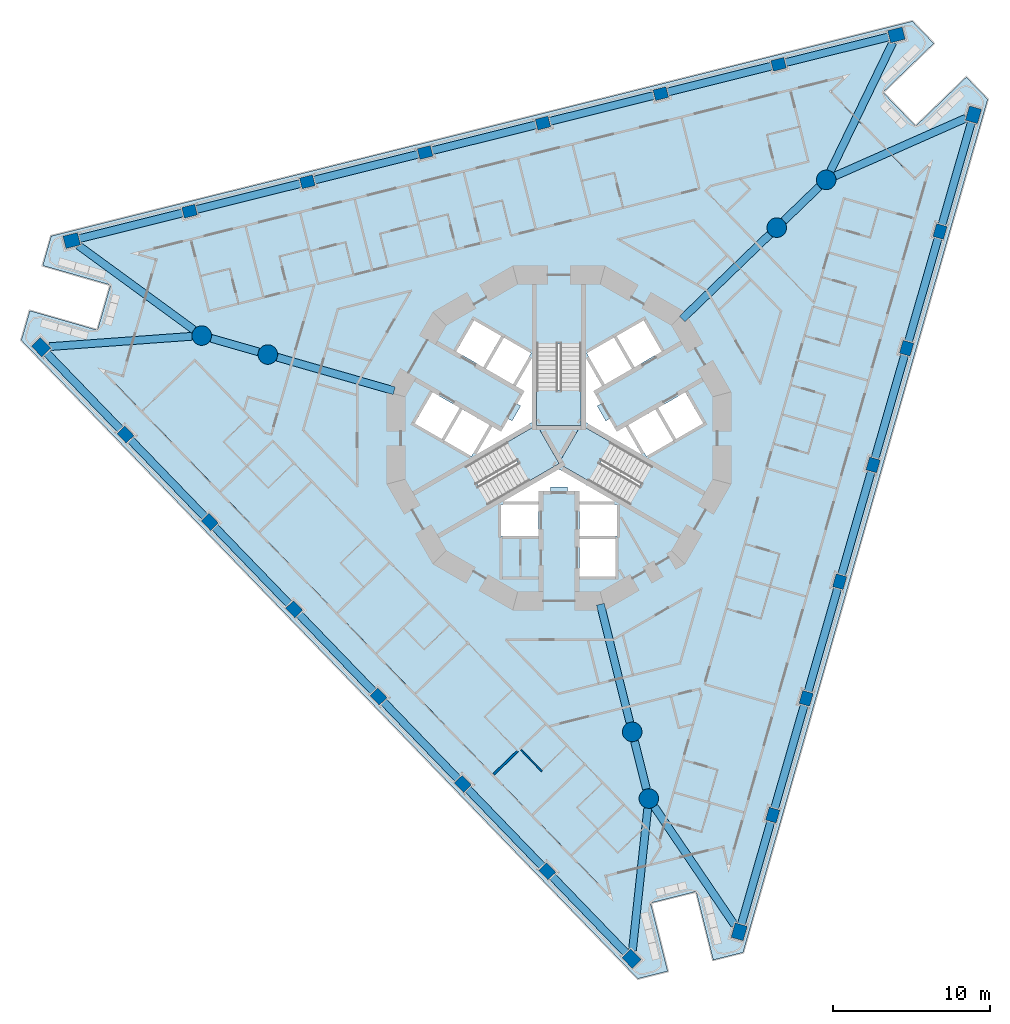
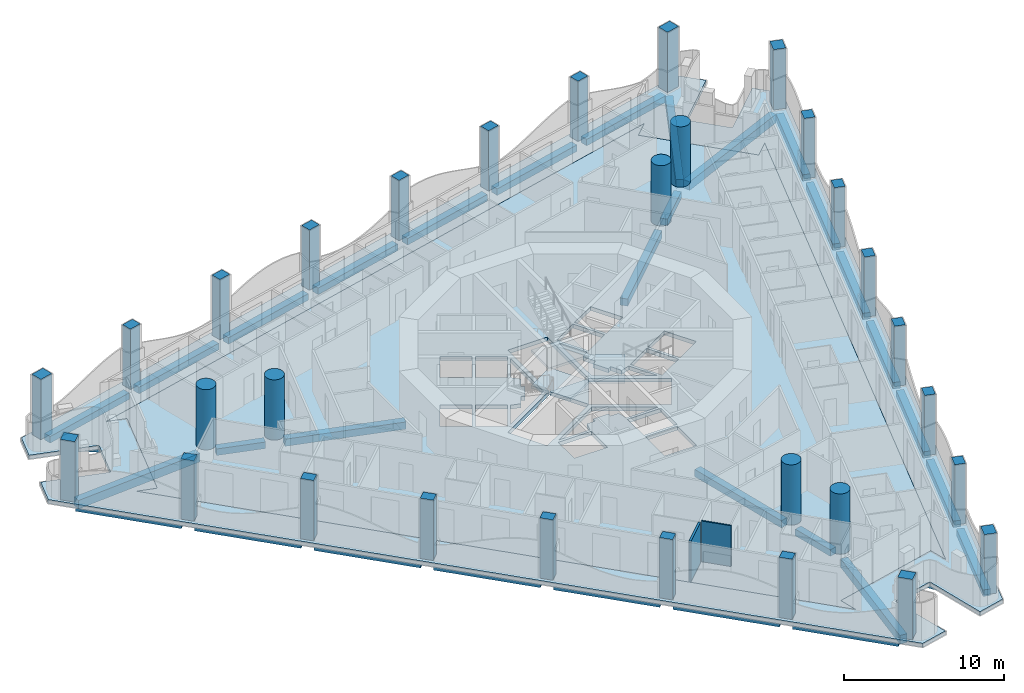
# One storey, part 1 of 20: 33 beams, 30 columns, 6 slabs, 2 walls, 3 elements without a shape of their own.
"""IFC4 building model written with IfcOpenShell, lengths in metres."""

import ifcopenshell
import ifcopenshell.guid

model = None  # the IFC model being written
_history = None  # IfcOwnerHistory: only IFC2X3 demands one
_inside = {}  # id of a spatial element -> (the spatial element, [elements in it])
_under = {}  # id of a project, library or spatial element -> (it, [spatial elements below it])
_declared = {}  # id of a project -> (the project, [libraries it declares])
_typed = {}  # id of a type object -> (the type object, [elements of that type])
_made_of = {}  # id of a material, layer set ... -> (it, [elements and type objects made of it])


def new_model(schema):
    """Start an empty IFC model of exactly this schema.

    Asked for "IFC4X3", IfcOpenShell would pick the latest addendum, in which some entities
    have other attributes; the version numbers below select the first issue.
    IFC2X3 requires an IfcOwnerHistory on every rooted entity: one is made here for all.
    """
    global model, _history
    if schema == "IFC4X3":
        model = ifcopenshell.file(schema_version=(4, 3, 0, 0))
    else:
        model = ifcopenshell.file(schema=schema)
    _inside.clear()
    _under.clear()
    _declared.clear()
    _typed.clear()
    _made_of.clear()
    _history = None
    if model.schema == "IFC2X3":
        org = make("IfcOrganization", Name="unknown")
        user = make(
            "IfcPersonAndOrganization",
            ThePerson=make("IfcPerson", FamilyName="unknown"),
            TheOrganization=org,
        )
        app = make(
            "IfcApplication",
            ApplicationDeveloper=org,
            Version="unknown",
            ApplicationFullName="unknown",
            ApplicationIdentifier="unknown",
        )
        _history = make(
            "IfcOwnerHistory",
            OwningUser=user,
            OwningApplication=app,
            ChangeAction="ADDED",
            CreationDate=0,
        )
    return model


def make(cls, **values):
    """One entity of the class cls with the attributes given. An attribute that is None is left unset."""
    return model.create_entity(
        cls, **{name: value for name, value in values.items() if value is not None}
    )


def rooted(cls, **values):
    """An entity with a GlobalId (a new one), such as an element, a storey or a relation."""
    return make(cls, GlobalId=ifcopenshell.guid.new(), OwnerHistory=_history, **values)


def si_unit(unit_type, name, prefix=None):
    """IfcSIUnit, for example si_unit("LENGTHUNIT", "METRE", prefix="MILLI")."""
    return make("IfcSIUnit", UnitType=unit_type, Prefix=prefix, Name=name)


def assignment(units):
    """IfcUnitAssignment: the units of a project."""
    return None if units is None else make("IfcUnitAssignment", Units=units)


def point(xyz):
    """IfcCartesianPoint."""
    return None if xyz is None else make("IfcCartesianPoint", Coordinates=xyz)


def direction(xyz):
    """IfcDirection."""
    return None if xyz is None else make("IfcDirection", DirectionRatios=xyz)


def frame(location, z_axis=None, x_axis=None):
    """IfcAxis2Placement3D, a coordinate frame: its origin and axes. An axis left out is left unset."""
    return make(
        "IfcAxis2Placement3D",
        Location=point(location),
        Axis=direction(z_axis),
        RefDirection=direction(x_axis),
    )


def frame_2d(location, x_axis=None):
    """IfcAxis2Placement2D, a coordinate frame in the plane: its origin and x axis."""
    return make(
        "IfcAxis2Placement2D", Location=point(location), RefDirection=direction(x_axis)
    )


def origin():
    """The frame at (0, 0, 0) with its axes left unset."""
    return frame((0.0, 0.0, 0.0))


def origin_2d():
    """The frame at (0, 0) in the plane with its x axis left unset."""
    return frame_2d((0.0, 0.0))


def place(relative_to, where):
    """IfcLocalPlacement: puts the frame where relative to a parent placement (None: the world)."""
    return make(
        "IfcLocalPlacement", PlacementRelTo=relative_to, RelativePlacement=where
    )


def context(
    kind, dimensions, precision=None, world=None, true_north=None, identifier=None
):
    """IfcGeometricRepresentationContext, for example the 3D "Model" context."""
    return make(
        "IfcGeometricRepresentationContext",
        ContextIdentifier=identifier,
        ContextType=kind,
        CoordinateSpaceDimension=dimensions,
        Precision=precision,
        WorldCoordinateSystem=world,
        TrueNorth=true_north,
    )


def subcontext(parent, identifier, kind, view, scale=None):
    """IfcGeometricRepresentationSubContext, for example "Body" below "Model"."""
    return make(
        "IfcGeometricRepresentationSubContext",
        ContextIdentifier=identifier,
        ContextType=kind,
        ParentContext=parent,
        TargetScale=scale,
        TargetView=view,
    )


def project(units=None, contexts=None):
    """IfcProject with its units and contexts."""
    return rooted(
        "IfcProject",
        Name="project",
        RepresentationContexts=contexts,
        UnitsInContext=assignment(units),
    )


def spatial(cls, under=None, at=None, **own):
    """A site, building, storey or space (cls), placed at a placement, below another one or the project."""
    s = rooted(cls, ObjectPlacement=at, **own)
    if under is not None:
        _under.setdefault(under.id(), (under, []))[1].append(s)
    return s


def polyline(points):
    """IfcPolyline through the points."""
    return make("IfcPolyline", Points=[point(p) for p in points])


def profile(cls, at=None, kind="AREA", **sizes):
    """A parametric profile (cls). Its sizes go by their IFC names, for example OverallWidth=200.0."""
    return make(cls, ProfileType=kind, Position=at, **sizes)


def rectangle(**sizes):
    """IfcRectangleProfileDef."""
    return profile("IfcRectangleProfileDef", **sizes)


def circle(**sizes):
    """IfcCircleProfileDef."""
    return profile("IfcCircleProfileDef", **sizes)


def outline(outer, holes=None, kind="AREA"):
    """IfcArbitraryClosedProfileDef: a profile drawn as a closed curve; with holes, ...WithVoids."""
    if holes is None:
        return make("IfcArbitraryClosedProfileDef", ProfileType=kind, OuterCurve=outer)
    return make(
        "IfcArbitraryProfileDefWithVoids",
        ProfileType=kind,
        OuterCurve=outer,
        InnerCurves=holes,
    )


def extrude(swept, where, along, depth):
    """IfcExtrudedAreaSolid: the profile swept, set in the frame where, extruded along a direction by depth."""
    return make(
        "IfcExtrudedAreaSolid",
        SweptArea=swept,
        Position=where,
        ExtrudedDirection=direction(along),
        Depth=depth,
    )


def shape(context_of_items, identifier, shape_type, items):
    """IfcShapeRepresentation: the items that make up one representation, for example the "Body"."""
    return make(
        "IfcShapeRepresentation",
        ContextOfItems=context_of_items,
        RepresentationIdentifier=identifier,
        RepresentationType=shape_type,
        Items=items,
    )


def material(Name=None, Category=None):
    """IfcMaterial."""
    return make("IfcMaterial", Name=Name, Category=Category)


def layer(
    of_material, thickness, ventilated=None, Name=None, Category=None, Priority=None
):
    """IfcMaterialLayer: one layer of a wall or slab, of a material (None: an air gap)."""
    return make(
        "IfcMaterialLayer",
        Material=of_material,
        LayerThickness=thickness,
        IsVentilated=ventilated,
        Name=Name,
        Category=Category,
        Priority=Priority,
    )


def layer_set(layers, Name=None):
    """IfcMaterialLayerSet."""
    return make("IfcMaterialLayerSet", MaterialLayers=layers, LayerSetName=Name)


def material_profile(
    of_material, cross_section, Name=None, Category=None, Priority=None
):
    """IfcMaterialProfile: a cross section and its material."""
    return make(
        "IfcMaterialProfile",
        Name=Name,
        Material=of_material,
        Profile=cross_section,
        Priority=Priority,
        Category=Category,
    )


def profile_set(profiles, Name=None, composite=None):
    """IfcMaterialProfileSet."""
    return make(
        "IfcMaterialProfileSet",
        Name=Name,
        MaterialProfiles=profiles,
        CompositeProfile=composite,
    )


def made_of(thing, what):
    """Note that an element or type object is made of a material, layer set ...; save() writes the relation."""
    if what is not None:
        _made_of.setdefault(what.id(), (what, []))[1].append(thing)
    return thing


def type_object(cls, material=None, **own):
    """A type object (cls), such as IfcWallType, which elements share."""
    return made_of(rooted(cls, **own), material)


def element(
    cls,
    number,
    at=None,
    inside=None,
    cuts=None,
    type_object=None,
    material=None,
    context=None,
    identifier="Body",
    shape_type=None,
    held_by="IfcProductDefinitionShape",
    body=None,
    shapes=None,
    **own,
):
    """One element of the class cls, such as IfcWall. Its Tag is "e" and its number.

    at: its placement. inside: the storey or other place that contains it. cuts: it is an
    opening in that element (IfcRelVoidsElement). A single representation is given by context,
    identifier, shape_type and body (its items); several are given by shapes. held_by: the class
    of the entity that holds the representations. save() writes the other relations.
    """
    e = rooted(cls, Tag="e%d" % number, ObjectPlacement=at, **own)
    if body is not None:
        shapes = [shape(context, identifier, shape_type, body)]
    if shapes is not None:
        e.Representation = make(held_by, Representations=shapes)
    if inside is not None:
        _inside.setdefault(inside.id(), (inside, []))[1].append(e)
    if cuts is not None:
        rooted(
            "IfcRelVoidsElement", RelatingBuildingElement=cuts, RelatedOpeningElement=e
        )
    if type_object is not None:
        _typed.setdefault(type_object.id(), (type_object, []))[1].append(e)
    return made_of(e, material)


def aggregate(whole, parts):
    """IfcRelAggregates: a whole, such as a stair, and the parts it consists of."""
    return rooted("IfcRelAggregates", RelatingObject=whole, RelatedObjects=parts)


def save(model, path):
    """Write the relations noted so far, then the file.

    IfcRelAggregates (storeys below a building ...), IfcRelContainedInSpatialStructure (elements
    in a storey), IfcRelDefinesByType, IfcRelAssociatesMaterial and IfcRelDeclares: one each for
    every whole, place, type object, material and project.
    """
    for whole, parts in _under.values():
        aggregate(whole, parts)
    for where, things in _inside.values():
        rooted(
            "IfcRelContainedInSpatialStructure",
            RelatedElements=things,
            RelatingStructure=where,
        )
    for kind, things in _typed.values():
        rooted("IfcRelDefinesByType", RelatedObjects=things, RelatingType=kind)
    for what, things in _made_of.values():
        rooted("IfcRelAssociatesMaterial", RelatedObjects=things, RelatingMaterial=what)
    for by, libraries in _declared.values():
        rooted("IfcRelDeclares", RelatingContext=by, RelatedDefinitions=libraries)
    model.write(path)


model = new_model("IFC4")

# Units and contexts
model_context = context("Model", 3, precision=1e-05, world=origin(), true_north=direction((0.0, 1.0)))
body_context = subcontext(model_context, "Body", "Model", "MODEL_VIEW")
ifc_project = project(units=[si_unit("LENGTHUNIT", "METRE"), si_unit("AREAUNIT", "SQUARE_METRE"), si_unit("VOLUMEUNIT", "CUBIC_METRE"), si_unit("PLANEANGLEUNIT", "RADIAN"), si_unit("MASSUNIT", "GRAM", prefix="KILO")], contexts=[model_context])

# Site, building, storey
site_placement = place(None, origin())
site = spatial("IfcSite", under=ifc_project, at=site_placement, CompositionType="ELEMENT")
building_placement = place(site_placement, origin())
building = spatial("IfcBuilding", under=site, at=building_placement, Name="Trine Commons Tower", CompositionType="ELEMENT")
storey_placement = place(building_placement, frame((0.0, 0.0, 116.10009765625)))
storey = spatial("IfcBuildingStorey", under=building, at=storey_placement, Name="L29", CompositionType="ELEMENT", Elevation=116.10009765625)

# Columns
ifc_material_1 = material(Name="Concrete C70/85", Category="concrete")
ifc_material_profile_1 = material_profile(ifc_material_1, rectangle(XDim=0.85009765625, YDim=0.699951171875, at=origin_2d()), Name="RC 850x700")
ifc_profile_set_1 = profile_set([ifc_material_profile_1], Name="Concrete C70/85")
column_type_1 = type_object("IfcColumnType", Name="RC column 850x700, C70/85", PredefinedType="COLUMN", material=ifc_profile_set_1)
for number, where, z_axis, x_axis, name in (
    (1, (79.251708984375, 34.81640625, 0.0), (0.0, 0.0, 1.0), (-0.694658370459, 0.719339800339, 0.0), "Column PC3-02 L29"),
    (2, (73.86279296875, 40.396728515625, 0.0), (0.0, 0.0, 1.0), (-0.694658370459, 0.719339800339, 0.0), "Column PC3-03 L29"),
    (3, (68.473876953125, 45.977294921875, 0.0), (0.0, 0.0, 1.0), (-0.694658370459, 0.719339800339, 0.0), "Column PC3-04 L29"),
    (4, (63.0849609375, 51.5576171875, 0.0), (0.0, 0.0, 1.0), (-0.694658370459, 0.719339800339, 0.0), "Column PC3-05 L29"),
    (5, (57.696044921875, 57.137939453125, 0.0), (0.0, 0.0, 1.0), (-0.694658370459, 0.719339800339, 0.0), "Column PC3-06 L29"),
    (6, (52.30712890625, 62.71826171875, 0.0), (0.0, 0.0, 1.0), (-0.694658370459, 0.719339800339, 0.0), "Column PC3-07 L29"),
    (7, (56.3994140625, 76.98974609375, 0.0), (0.0, 0.0, 1.0), (0.970295726276, 0.2419218956, 0.0), "Column PC3-10 L29"),
    (8, (63.926513671875, 78.86669921875, 0.0), (0.0, 0.0, 1.0), (0.970295726276, 0.2419218956, 0.0), "Column PC3-11 L29"),
    (9, (71.453857421875, 80.743408203125, 0.0), (0.0, 0.0, 1.0), (0.970295726276, 0.2419218956, 0.0), "Column PC3-12 L29"),
    (10, (78.981201171875, 82.6201171875, 0.0), (0.0, 0.0, 1.0), (0.970295726276, 0.2419218956, 0.0), "Column PC3-13 L29"),
    (11, (86.50830078125, 84.496826171875, 0.0), (0.0, 0.0, 1.0), (0.970295726276, 0.2419218956, 0.0), "Column PC3-14 L29"),
    (12, (94.035400390625, 86.37353515625, 0.0), (0.0, 0.0, 1.0), (0.970295726276, 0.2419218956, 0.0), "Column PC3-15 L29"),
    (13, (104.348876953125, 75.69384765625, 0.0), (0.0, 0.0, 1.0), (0.275637355817, 0.961261695938, 0.0), "Column PC3-18 L29"),
    (14, (102.210693359375, 68.23681640625, 0.0), (0.0, 0.0, 1.0), (0.275637355817, 0.961261695938, 0.0), "Column PC3-19 L29"),
    (15, (100.072265625, 60.779541015625, 0.0), (0.0, 0.0, 1.0), (0.275637355817, 0.961261695938, 0.0), "Column PC3-20 L29"),
    (16, (97.93408203125, 53.322509765625, 0.0), (0.0, 0.0, 1.0), (0.275637355817, 0.961261695938, 0.0), "Column PC3-21 L29"),
    (17, (95.795654296875, 45.865234375, 0.0), (0.0, 0.0, 1.0), (0.275637355817, 0.961261695938, 0.0), "Column PC3-22 L29"),
    (18, (93.657470703125, 38.408203125, 0.0), (0.0, 0.0, 1.0), (0.275637355817, 0.961261695938, 0.0), "Column PC3-23 L29"),
):
    element("IfcColumn", number, at=place(storey_placement, frame(where, z_axis=z_axis, x_axis=x_axis)), inside=storey, type_object=column_type_1, Name=name, PredefinedType="COLUMN", context=body_context, shape_type="SweptSolid", body=[
        extrude(rectangle(XDim=0.85009765625, YDim=0.699951171875, at=origin_2d()), origin(), (0.0, 0.0, 1.0), 4.58740234375),
    ])
ifc_material_profile_2 = material_profile(ifc_material_1, rectangle(XDim=0.949951171875, YDim=0.800048828125, at=origin_2d()), Name="RC 950x800")
ifc_profile_set_2 = profile_set([ifc_material_profile_2], Name="Concrete C70/85")
column_type_2 = type_object("IfcColumnType", Name="RC column 950x800, C70/85", PredefinedType="COLUMN", material=ifc_profile_set_2)
for number, where, z_axis, x_axis, name in (
    (19, (84.640625, 29.236083984375, 0.0), (0.0, 0.0, 1.0), (-0.694658370459, 0.719339800339, 0.0), "Column PC3-01 L29"),
    (20, (46.918212890625, 68.298583984375, 0.0), (0.0, 0.0, 1.0), (-0.694658370459, 0.719339800339, 0.0), "Column PC3-08 L29"),
    (21, (48.872314453125, 75.113037109375, 0.0), (0.0, 0.0, 1.0), (0.970295726276, 0.2419218956, 0.0), "Column PC3-09 L29"),
    (22, (101.562744140625, 88.250244140625, 0.0), (0.0, 0.0, 1.0), (0.970295726276, 0.2419218956, 0.0), "Column PC3-16 L29"),
    (23, (106.4873046875, 83.15087890625, 0.0), (0.0, 0.0, 1.0), (0.275637355817, 0.961261695938, 0.0), "Column PC3-17 L29"),
    (24, (91.51904296875, 30.950927734375, 0.0), (0.0, 0.0, 1.0), (0.275637355817, 0.961261695938, 0.0), "Column PC3-24 L29"),
):
    element("IfcColumn", number, at=place(storey_placement, frame(where, z_axis=z_axis, x_axis=x_axis)), inside=storey, type_object=column_type_2, Name=name, PredefinedType="COLUMN", context=body_context, shape_type="SweptSolid", body=[
        extrude(rectangle(XDim=0.949951171875, YDim=0.800048828125, at=origin_2d()), origin(), (0.0, 0.0, 1.0), 4.58740234375),
    ])
ifc_material_profile_3 = material_profile(ifc_material_1, circle(Radius=0.625, at=origin_2d()), Name="RC round 1250")
ifc_profile_set_3 = profile_set([ifc_material_profile_3], Name="Concrete C70/85")
column_type_3 = type_object("IfcColumnType", Name="RC round column 1250 mm, C70/85", PredefinedType="COLUMN", material=ifc_profile_set_3)
for number, where, z_axis, x_axis, name in (
    (25, (84.6806640625, 43.726806640625, 0.0), (0.0, 0.0, 1.0), (1.0, 0.0, 0.0), "Column WC3-1 L29"),
    (26, (85.742919921875, 39.4658203125, 0.0), (0.0, 0.0, 1.0), (1.0, 0.0, 0.0), "Column WC3-2 L29"),
    (27, (93.917724609375, 75.940185546875, 0.0), (0.0, 0.0, 1.0), (1.0, 0.0, 0.0), "Column WC3-3 L29"),
    (28, (97.07666015625, 78.99072265625, 0.0), (0.0, 0.0, 1.0), (1.0, 0.0, 0.0), "Column WC3-4 L29"),
    (29, (61.401611328125, 67.8330078125, 0.0), (0.0, 0.0, 1.0), (1.0, 0.0, 0.0), "Column WC3-5 L29"),
    (30, (57.180419921875, 69.04345703125, 0.0), (0.0, 0.0, 1.0), (1.0, 0.0, 0.0), "Column WC3-6 L29"),
):
    element("IfcColumn", number, at=place(storey_placement, frame(where, z_axis=z_axis, x_axis=x_axis)), inside=storey, type_object=column_type_3, Name=name, PredefinedType="COLUMN", context=body_context, shape_type="SweptSolid", body=[
        extrude(circle(Radius=0.625, at=origin_2d()), origin(), (0.0, 0.0, 1.0), 4.58740234375),
    ])

# Beams
ifc_material_2 = material(Name="Concrete C50/60", Category="concrete")
ifc_material_profile_4 = material_profile(ifc_material_2, rectangle(XDim=0.5, YDim=0.5, at=origin_2d()), Name="RC 500x500")
ifc_profile_set_4 = profile_set([ifc_material_profile_4], Name="Concrete C50/60")
beam_type_1 = type_object("IfcBeamType", Name="RC beam 500x500, C50/60", PredefinedType="BEAM", material=ifc_profile_set_4)
beam_1_placement = place(storey_placement, frame((84.310791015625, 29.57763671875, -0.550048828125), z_axis=(-0.694663760793, 0.719334594915, 0.0), x_axis=(-0.719334594915, -0.694663760793, 0.0)))
element("IfcBeam", 31, at=beam_1_placement, inside=storey, type_object=beam_type_1, Name="Beam EB3-01 L29", PredefinedType="BEAM", context=body_context, shape_type="SweptSolid", body=[
    extrude(rectangle(XDim=0.5, YDim=0.5, at=origin_2d()), origin(), (0.0, 0.0, 1.0), 6.85791015625),
])
for number, where, z_axis, x_axis, name in (
    (32, (78.95654296875, 35.1220703125, -0.550048828125), (-0.694664521959, 0.719333859854, 0.0), (-0.719333859854, -0.694664521959, 0.0), "Beam EB3-02 L29"),
    (33, (73.567626953125, 40.702392578125, -0.550048828125), (-0.694664521959, 0.719333859854, 0.0), (-0.719333859854, -0.694664521959, 0.0), "Beam EB3-03 L29"),
    (34, (68.1787109375, 46.282958984375, -0.550048828125), (-0.694664521959, 0.719333859854, 0.0), (-0.719333859854, -0.694664521959, 0.0), "Beam EB3-04 L29"),
    (35, (62.789794921875, 51.86328125, -0.550048828125), (-0.694664521959, 0.719333859854, 0.0), (-0.719333859854, -0.694664521959, 0.0), "Beam EB3-05 L29"),
    (36, (57.40087890625, 57.443603515625, -0.550048828125), (-0.694664521959, 0.719333859854, 0.0), (-0.719333859854, -0.694664521959, 0.0), "Beam EB3-06 L29"),
):
    element("IfcBeam", number, at=place(storey_placement, frame(where, z_axis=z_axis, x_axis=x_axis)), inside=storey, type_object=beam_type_1, Name=name, PredefinedType="BEAM", context=body_context, shape_type="SweptSolid", body=[
        extrude(rectangle(XDim=0.5, YDim=0.5, at=origin_2d()), origin(), (0.0, 0.0, 1.0), 6.90771484375),
    ])
for number, where, z_axis, x_axis, name in (
    (37, (52.011962890625, 63.02392578125, -0.550048828125), (-0.694645339139, 0.71935238431, 0.0), (-0.71935238431, -0.694645339139, 0.0), "Beam EB3-07 L29"),
    (38, (49.3330078125, 75.22802734375, -0.550048828125), (0.970299359004, 0.241907325057, 0.0), (-0.241907325057, 0.970299359004, 0.0), "Beam EB3-08 L29"),
):
    element("IfcBeam", number, at=place(storey_placement, frame(where, z_axis=z_axis, x_axis=x_axis)), inside=storey, type_object=beam_type_1, Name=name, PredefinedType="BEAM", context=body_context, shape_type="SweptSolid", body=[
        extrude(rectangle(XDim=0.5, YDim=0.5, at=origin_2d()), origin(), (0.0, 0.0, 1.0), 6.857666015625),
    ])
beam_2_placement = place(storey_placement, frame((56.811767578125, 77.092529296875, -0.550048828125), z_axis=(0.970285783578, 0.241961770093, 0.0), x_axis=(-0.241961770093, 0.970285783578, 0.0)))
element("IfcBeam", 39, at=beam_2_placement, inside=storey, type_object=beam_type_1, Name="Beam EB3-09 L29", PredefinedType="BEAM", context=body_context, shape_type="SweptSolid", body=[
    extrude(rectangle(XDim=0.5, YDim=0.5, at=origin_2d()), origin(), (0.0, 0.0, 1.0), 6.90771484375),
])
for number, where, z_axis, x_axis, name in (
    (40, (64.339111328125, 78.969482421875, -0.550048828125), (0.970302376924, 0.241895219745, 0.0), (-0.241895219745, 0.970302376924, 0.0), "Beam EB3-10 L29"),
    (41, (71.8662109375, 80.84619140625, -0.550048828125), (0.970294080751, 0.241928495346, 0.0), (-0.241928495346, 0.970294080751, 0.0), "Beam EB3-11 L29"),
    (42, (79.3935546875, 82.722900390625, -0.550048828125), (0.970294080751, 0.241928495346, 0.0), (-0.241928495346, 0.970294080751, 0.0), "Beam EB3-12 L29"),
    (43, (86.920654296875, 84.599609375, -0.550048828125), (0.970294080751, 0.241928495346, 0.0), (-0.241928495346, 0.970294080751, 0.0), "Beam EB3-13 L29"),
):
    element("IfcBeam", number, at=place(storey_placement, frame(where, z_axis=z_axis, x_axis=x_axis)), inside=storey, type_object=beam_type_1, Name=name, PredefinedType="BEAM", context=body_context, shape_type="SweptSolid", body=[
        extrude(rectangle(XDim=0.5, YDim=0.5, at=origin_2d()), origin(), (0.0, 0.0, 1.0), 6.907470703125),
    ])
for number, where, z_axis, x_axis, name in (
    (44, (94.447998046875, 86.476318359375, -0.550048828125), (0.970288918196, 0.241949199679, 0.0), (-0.241949199679, 0.970288918196, 0.0), "Beam EB3-14 L29"),
    (45, (106.356201171875, 82.6943359375, -0.550048828125), (-0.275623797229, -0.961265583697, 0.0), (0.961265583697, -0.275623797229, 0.0), "Beam EB3-15 L29"),
):
    element("IfcBeam", number, at=place(storey_placement, frame(where, z_axis=z_axis, x_axis=x_axis)), inside=storey, type_object=beam_type_1, Name=name, PredefinedType="BEAM", context=body_context, shape_type="SweptSolid", body=[
        extrude(rectangle(XDim=0.5, YDim=0.5, at=origin_2d()), origin(), (0.0, 0.0, 1.0), 6.857666015625),
    ])
for number, where, z_axis, x_axis, name in (
    (46, (104.231689453125, 75.285400390625, -0.550048828125), (-0.275640588881, -0.961260768866, 0.0), (0.961260768866, -0.275640588881, 0.0), "Beam EB3-16 L29"),
    (47, (102.093505859375, 67.828125, -0.550048828125), (-0.275640588881, -0.961260768866, 0.0), (0.961260768866, -0.275640588881, 0.0), "Beam EB3-17 L29"),
    (48, (99.955078125, 60.37109375, -0.550048828125), (-0.275640588881, -0.961260768866, 0.0), (0.961260768866, -0.275640588881, 0.0), "Beam EB3-18 L29"),
    (49, (97.81689453125, 52.913818359375, -0.550048828125), (-0.275640588881, -0.961260768866, 0.0), (0.961260768866, -0.275640588881, 0.0), "Beam EB3-19 L29"),
    (50, (95.6787109375, 45.456787109375, -0.550048828125), (-0.275673246186, -0.961251403816, 0.0), (0.961251403816, -0.275673246186, 0.0), "Beam EB3-20 L29"),
):
    element("IfcBeam", number, at=place(storey_placement, frame(where, z_axis=z_axis, x_axis=x_axis)), inside=storey, type_object=beam_type_1, Name=name, PredefinedType="BEAM", context=body_context, shape_type="SweptSolid", body=[
        extrude(rectangle(XDim=0.5, YDim=0.5, at=origin_2d()), origin(), (0.0, 0.0, 1.0), 6.90771484375),
    ])
beam_3_placement = place(storey_placement, frame((93.540283203125, 37.99951171875, -0.550048828125), z_axis=(-0.275666126975, -0.961253445476, 0.0), x_axis=(0.961253445476, -0.275666126975, 0.0)))
element("IfcBeam", 51, at=beam_3_placement, inside=storey, type_object=beam_type_1, Name="Beam EB3-21 L29", PredefinedType="BEAM", context=body_context, shape_type="SweptSolid", body=[
    extrude(rectangle(XDim=0.5, YDim=0.5, at=origin_2d()), origin(), (0.0, 0.0, 1.0), 6.857421875),
])
beam_4_placement = place(storey_placement, frame((84.831787109375, 43.12109375, -0.550048828125), z_axis=(0.241895853777, -0.97030221886, 0.0), x_axis=(0.97030221886, 0.241895853777, 0.0)))
element("IfcBeam", 52, at=beam_4_placement, inside=storey, type_object=beam_type_1, Name="Beam RB3-02 L29", PredefinedType="BEAM", context=body_context, shape_type="SweptSolid", body=[
    extrude(rectangle(XDim=0.5, YDim=0.5, at=origin_2d()), origin(), (0.0, 0.0, 1.0), 3.142822265625),
])
beam_5_placement = place(storey_placement, frame((94.366943359375, 76.3740234375, -0.550048828125), z_axis=(0.719314434863, 0.694684636218, 0.0), x_axis=(-0.694684636218, 0.719314434863, 0.0)))
element("IfcBeam", 53, at=beam_5_placement, inside=storey, type_object=beam_type_1, Name="Beam RB3-04 L29", PredefinedType="BEAM", context=body_context, shape_type="SweptSolid", body=[
    extrude(rectangle(XDim=0.5, YDim=0.5, at=origin_2d()), origin(), (0.0, 0.0, 1.0), 3.142333984375),
])
beam_6_placement = place(storey_placement, frame((60.80126953125, 68.005126953125, -0.550048828125), z_axis=(-0.961274333375, 0.275593280026, 0.0), x_axis=(-0.275593280026, -0.961274333375, 0.0)))
element("IfcBeam", 54, at=beam_6_placement, inside=storey, type_object=beam_type_1, Name="Beam RB3-06 L29", PredefinedType="BEAM", context=body_context, shape_type="SweptSolid", body=[
    extrude(rectangle(XDim=0.5, YDim=0.5, at=origin_2d()), origin(), (0.0, 0.0, 1.0), 3.14208984375),
])
ifc_material_profile_5 = material_profile(ifc_material_2, rectangle(XDim=0.5, YDim=0.550048828125, at=origin_2d()), Name="RC 500x550")
ifc_profile_set_5 = profile_set([ifc_material_profile_5], Name="Concrete C50/60")
beam_type_2 = type_object("IfcBeamType", Name="RC beam 500x550, C50/60", PredefinedType="BEAM", material=ifc_profile_set_5)
beam_7_placement = place(storey_placement, frame((82.648681640625, 51.876708984375, -0.5751953125), z_axis=(0.241937131507, -0.970291927411, 0.0), x_axis=(0.970291927411, 0.241937131507, 0.0)))
element("IfcBeam", 55, at=beam_7_placement, inside=storey, type_object=beam_type_2, Name="Beam RB3-01 L29", PredefinedType="BEAM", context=body_context, shape_type="SweptSolid", body=[
    extrude(rectangle(XDim=0.5, YDim=0.550048828125, at=origin_2d()), origin(), (0.0, 0.0, 1.0), 7.775146484375),
])
beam_8_placement = place(storey_placement, frame((87.875732421875, 70.105712890625, -0.5751953125), z_axis=(0.719355467287, 0.694642146493, 0.0), x_axis=(-0.694642146493, 0.719355467287, 0.0)))
element("IfcBeam", 56, at=beam_8_placement, inside=storey, type_object=beam_type_2, Name="Beam RB3-03 L29", PredefinedType="BEAM", context=body_context, shape_type="SweptSolid", body=[
    extrude(rectangle(XDim=0.5, YDim=0.550048828125, at=origin_2d()), origin(), (0.0, 0.0, 1.0), 7.774658203125),
])
beam_9_placement = place(storey_placement, frame((69.4755859375, 65.517822265625, -0.5751953125), z_axis=(-0.961260445822, 0.275641715452, 0.0), x_axis=(-0.275641715452, -0.961260445822, 0.0)))
element("IfcBeam", 57, at=beam_9_placement, inside=storey, type_object=beam_type_2, Name="Beam RB3-05 L29", PredefinedType="BEAM", context=body_context, shape_type="SweptSolid", body=[
    extrude(rectangle(XDim=0.5, YDim=0.550048828125, at=origin_2d()), origin(), (0.0, 0.0, 1.0), 7.77490234375),
])
ifc_material_profile_6 = material_profile(ifc_material_2, rectangle(XDim=0.5, YDim=0.64990234375, at=origin_2d()), Name="RC 500x650")
ifc_profile_set_6 = profile_set([ifc_material_profile_6], Name="Concrete C50/60")
beam_type_3 = type_object("IfcBeamType", Name="RC beam 500x650, C50/60", PredefinedType="BEAM", material=ifc_profile_set_6)
for number, where, z_axis, x_axis, name in (
    (58, (47.437744140625, 68.33642578125, -0.625), (0.997376868149, 0.07238358157, 0.0), (-0.07238358157, 0.997376868149, 0.0), "Beam CB3-01 L29"),
    (59, (49.29296875, 74.8056640625, -0.625), (0.807466452888, -0.589913491506, 0.0), (0.589913491506, 0.807466452888, 0.0), "Beam CB3-02 L29"),
    (60, (101.33544921875, 87.781494140625, -0.625), (-0.435985897384, -0.899953497289, 0.0), (0.899953497289, -0.435985897384, 0.0), "Beam CB3-03 L29"),
    (61, (106.0107421875, 82.940185546875, -0.625), (-0.914616807383, -0.404321772419, 0.0), (0.404321772419, -0.914616807383, 0.0), "Beam CB3-04 L29"),
):
    element("IfcBeam", number, at=place(storey_placement, frame(where, z_axis=z_axis, x_axis=x_axis)), inside=storey, type_object=beam_type_3, Name=name, PredefinedType="BEAM", context=body_context, shape_type="SweptSolid", body=[
        extrude(rectangle(XDim=0.5, YDim=0.64990234375, at=origin_2d()), origin(), (0.0, 0.0, 1.0), 9.143798828125),
    ])
beam_10_placement = place(storey_placement, frame((91.2265625, 31.382080078125, -0.625), z_axis=(-0.561374083617, 0.827562165788, 0.0), x_axis=(-0.827562165788, -0.561374083617, 0.0)))
element("IfcBeam", 62, at=beam_10_placement, inside=storey, type_object=beam_type_3, Name="Beam CB3-05 L29", PredefinedType="BEAM", context=body_context, shape_type="SweptSolid", body=[
    extrude(rectangle(XDim=0.5, YDim=0.64990234375, at=origin_2d()), origin(), (0.0, 0.0, 1.0), 9.143310546875),
])
beam_11_placement = place(storey_placement, frame((84.696533203125, 29.75390625, -0.625), z_axis=(0.107125177559, 0.994245541269, 0.0), x_axis=(-0.994245541269, 0.107125177559, 0.0)))
element("IfcBeam", 63, at=beam_11_placement, inside=storey, type_object=beam_type_3, Name="Beam CB3-06 L29", PredefinedType="BEAM", context=body_context, shape_type="SweptSolid", body=[
    extrude(rectangle(XDim=0.5, YDim=0.64990234375, at=origin_2d()), origin(), (0.0, 0.0, 1.0), 9.1435546875),
])

# Slabs
ifc_layer_1 = layer(ifc_material_2, 0.300048828125)
ifc_layer_set_1 = layer_set([ifc_layer_1], Name="Concrete C50/60")
slab_type_1 = type_object("IfcSlabType", Name="Loggia slab 300 mm, C50/60", PredefinedType="FLOOR", material=ifc_layer_set_1)
slab_1_placement = place(storey_placement, frame((0.0, 0.0, -0.300048828125)))
element("IfcSlab", 64, at=slab_1_placement, inside=storey, type_object=slab_type_1, Name="Loggia slab L29", PredefinedType="FLOOR", context=body_context, shape_type="SweptSolid", body=[
    extrude(outline(polyline([(91.764892578125, 29.632080078125), (107.394775390625, 84.13916015625), (106.0302734375, 85.552001953125), (102.793212890625, 82.426025390625), (100.709228515625, 84.583984375), (103.9462890625, 87.7099609375), (102.581787109375, 89.122802734375), (47.562744140625, 75.405029296875), (47.021240234375, 73.516845703125), (51.346923828125, 72.276611328125), (50.52001953125, 69.392822265625), (46.1943359375, 70.63330078125), (45.653076171875, 68.7451171875), (85.04248046875, 27.9560546875), (86.948486328125, 28.43115234375), (85.85986328125, 32.797607421875), (88.7705078125, 33.523193359375), (89.859375, 29.156982421875), (91.764892578125, 29.632080078125)]), holes=[polyline([(83.27587890625, 33.240478515625), (82.950439453125, 34.545654296875), (90.518798828125, 36.4326171875), (90.843994140625, 35.12744140625), (103.701416015625, 79.966796875), (102.73388671875, 79.032470703125), (97.315673828125, 84.643310546875), (98.283203125, 85.577392578125), (53.022705078125, 74.292724609375), (54.3154296875, 73.922119140625), (52.16552734375, 66.42431640625), (50.872802734375, 66.794921875), (83.27587890625, 33.240478515625)])]), origin(), (0.0, 0.0, 1.0), 0.300048828125),
])
ifc_layer_2 = layer(ifc_material_2, 0.300048828125)
ifc_layer_set_2 = layer_set([ifc_layer_2], Name="Concrete C50/60")
slab_type_2 = type_object("IfcSlabType", Name="PT flat slab 300 mm, C50/60", PredefinedType="FLOOR", material=ifc_layer_set_2)
slab_2_placement = place(storey_placement, frame((0.0, 0.0, -0.300048828125)))
element("IfcSlab", 65, at=slab_2_placement, inside=storey, type_object=slab_type_2, Name="Floor slab L29", PredefinedType="FLOOR", context=body_context, shape_type="SweptSolid", body=[
    extrude(outline(polyline([(50.872802734375, 66.794921875), (83.27587890625, 33.240478515625), (82.950439453125, 34.545654296875), (90.518798828125, 36.4326171875), (90.843994140625, 35.12744140625), (103.701416015625, 79.966796875), (102.73388671875, 79.032470703125), (97.315673828125, 84.643310546875), (98.283203125, 85.577392578125), (53.022705078125, 74.292724609375), (54.3154296875, 73.922119140625), (52.16552734375, 66.42431640625), (50.872802734375, 66.794921875)]), holes=[polyline([(76.300048828125, 56.25), (78.699951171875, 56.25), (78.699951171875, 58.25), (76.300048828125, 58.25), (76.300048828125, 56.25)]), polyline([(81.14990234375, 59.10009765625), (81.300048828125, 58.449951171875), (83.56494140625, 58.449951171875), (80.0, 60.508056640625), (76.43505859375, 58.449951171875), (78.699951171875, 58.449951171875), (78.85009765625, 59.10009765625), (79.449951171875, 59.10009765625), (79.449951171875, 59.360107421875), (80.550048828125, 59.360107421875), (80.550048828125, 59.10009765625), (81.14990234375, 59.10009765625)]), polyline([(80.0, 60.8544921875), (84.4755859375, 58.2705078125), (85.900390625, 60.73876953125), (81.425048828125, 63.32275390625), (81.425048828125, 68.490478515625), (78.574951171875, 68.490478515625), (78.574951171875, 63.32275390625), (74.099609375, 60.73876953125), (75.5244140625, 58.2705078125), (80.0, 60.8544921875)]), polyline([(73.83740234375, 64.325927734375), (72.687255859375, 62.333984375), (74.41943359375, 61.333984375), (75.5693359375, 63.325927734375), (73.83740234375, 64.325927734375)]), polyline([(71.93212890625, 65.426025390625), (70.781982421875, 63.43408203125), (72.51416015625, 62.43408203125), (73.6640625, 64.426025390625), (71.93212890625, 65.426025390625)]), polyline([(76.781005859375, 63.722900390625), (76.381103515625, 63.031005859375), (75.742919921875, 63.22607421875), (74.7099609375, 61.43798828125), (78.27490234375, 63.49609375), (78.27490234375, 67.612060546875), (77.242919921875, 65.823974609375), (77.73095703125, 65.368896484375), (77.3310546875, 64.676025390625), (77.555908203125, 64.5458984375), (77.006103515625, 63.593994140625), (76.781005859375, 63.722900390625)]), polyline([(76.4873046875, 68.916015625), (75.33740234375, 66.924072265625), (77.0693359375, 65.924072265625), (78.219482421875, 67.916015625), (76.4873046875, 68.916015625)]), polyline([(74.58203125, 70.015869140625), (73.43212890625, 68.02392578125), (75.1640625, 67.02392578125), (76.314208984375, 69.015869140625), (74.58203125, 70.015869140625)]), polyline([(81.300048828125, 53.64990234375), (83.60009765625, 53.64990234375), (83.60009765625, 56.050048828125), (81.300048828125, 56.050048828125), (81.300048828125, 53.64990234375)]), polyline([(81.300048828125, 56.25), (83.699951171875, 56.25), (83.699951171875, 58.25), (81.300048828125, 58.25), (81.300048828125, 56.25)]), polyline([(87.312744140625, 62.333984375), (86.16259765625, 64.325927734375), (84.4306640625, 63.325927734375), (85.58056640625, 61.333984375), (87.312744140625, 62.333984375)]), polyline([(89.218017578125, 63.43408203125), (88.06787109375, 65.426025390625), (86.3359375, 64.426025390625), (87.48583984375, 62.43408203125), (89.218017578125, 63.43408203125)]), polyline([(83.243896484375, 63.738037109375), (82.993896484375, 63.593994140625), (82.444091796875, 64.5458984375), (82.72705078125, 64.7099609375), (82.281005859375, 65.549072265625), (82.757080078125, 65.823974609375), (81.72509765625, 67.612060546875), (81.72509765625, 63.49609375), (85.2900390625, 61.43798828125), (84.257080078125, 63.22607421875), (83.618896484375, 63.031005859375), (83.243896484375, 63.738037109375)]), polyline([(82.9306640625, 65.924072265625), (84.66259765625, 66.924072265625), (83.5126953125, 68.916015625), (81.780517578125, 67.916015625), (82.9306640625, 65.924072265625)]), polyline([(84.8359375, 67.02392578125), (86.56787109375, 68.02392578125), (85.41796875, 70.015869140625), (83.685791015625, 69.015869140625), (84.8359375, 67.02392578125)])]), origin(), (0.0, 0.0, 1.0), 0.300048828125),
])
slab_3_placement = place(storey_placement, frame((0.0, 0.0, -0.300048828125)))
element("IfcSlab", 66, at=slab_3_placement, inside=storey, type_object=slab_type_2, Name="Floor slab L29 2", PredefinedType="FLOOR", context=body_context, shape_type="SweptSolid", body=[
    extrude(outline(polyline([(78.61328125, 63.300537109375), (80.0, 60.89892578125), (81.38671875, 63.300537109375), (78.61328125, 63.300537109375)])), origin(), (0.0, 0.0, 1.0), 0.300048828125),
])

# Stair, slab
stair_type = type_object("IfcStairType", Name="Exit stair, dog-leg, 24 risers of 150 mm", PredefinedType="HALF_TURN_STAIR", material=ifc_material_2)
stair_1_placement = place(storey_placement, origin())
stair_1 = element("IfcStair", 67, at=stair_1_placement, inside=storey, type_object=stair_type, Name="L29 Exit stair ST1A", PredefinedType="HALF_TURN_STAIR")
ifc_layer_3 = layer(ifc_material_2, 0.199951171875)
ifc_layer_set_3 = layer_set([ifc_layer_3], Name="Concrete C50/60")
slab_type_3 = type_object("IfcSlabType", Name="Stair landing slab 200 mm, C50/60", PredefinedType="LANDING", material=ifc_layer_set_3)
slab_4_placement = place(storey_placement, frame((0.0, 0.0, 1.599853515625)))
slab_4 = element("IfcSlab", 68, at=slab_4_placement, type_object=slab_type_3, Name="ST1A landing 1", PredefinedType="LANDING", context=body_context, shape_type="SweptSolid", body=[
    extrude(outline(polyline([(78.574951171875, 65.570556640625), (78.574951171875, 63.300537109375), (81.425048828125, 63.300537109375), (81.425048828125, 65.570556640625), (78.574951171875, 65.570556640625)])), origin(), (0.0, 0.0, 1.0), 0.199951171875),
])
aggregate(stair_1, [slab_4])

stair_2_placement = place(storey_placement, origin())
stair_2 = element("IfcStair", 69, at=stair_2_placement, inside=storey, type_object=stair_type, Name="L29 Exit stair ST2A", PredefinedType="HALF_TURN_STAIR")
slab_5_placement = place(storey_placement, frame((0.0, 0.0, 1.599853515625)))
slab_5 = element("IfcSlab", 70, at=slab_5_placement, type_object=slab_type_3, Name="ST2A landing 1", PredefinedType="LANDING", context=body_context, shape_type="SweptSolid", body=[
    extrude(outline(polyline([(78.05322265625, 59.730712890625), (80.019287109375, 60.86572265625), (78.59423828125, 63.333740234375), (76.628173828125, 62.19873046875), (78.05322265625, 59.730712890625)])), origin(), (0.0, 0.0, 1.0), 0.199951171875),
])
aggregate(stair_2, [slab_5])

stair_3_placement = place(storey_placement, origin())
stair_3 = element("IfcStair", 71, at=stair_3_placement, inside=storey, type_object=stair_type, Name="L29 Exit stair ST3A", PredefinedType="HALF_TURN_STAIR")
slab_6_placement = place(storey_placement, frame((0.0, 0.0, 1.599853515625)))
slab_6 = element("IfcSlab", 72, at=slab_6_placement, type_object=slab_type_3, Name="ST3A landing 1", PredefinedType="LANDING", context=body_context, shape_type="SweptSolid", body=[
    extrude(outline(polyline([(83.371826171875, 62.19873046875), (81.40576171875, 63.333740234375), (79.980712890625, 60.86572265625), (81.94677734375, 59.730712890625), (83.371826171875, 62.19873046875)])), origin(), (0.0, 0.0, 1.0), 0.199951171875),
])
aggregate(stair_3, [slab_6])

# Walls
ifc_material_3 = material(Name="Gypsum plasterboard on steel stud", Category="steel")
ifc_layer_4 = layer(ifc_material_3, 0.14990234375)
ifc_layer_set_4 = layer_set([ifc_layer_4], Name="Gypsum plasterboard on steel stud")
wall_type_1 = type_object("IfcWallType", Name="Unit and corridor wall 150 mm, EI 60", PredefinedType="PARTITIONING", material=ifc_layer_set_4)
wall_1_placement = place(storey_placement, frame((75.826904296875, 41.01171875, 0.0), z_axis=(0.0, 0.0, 1.0), x_axis=(0.719477704354, 0.694515538298, 0.0)))
element("IfcWall", 73, at=wall_1_placement, inside=storey, type_object=wall_type_1, Name="Partition 058", PredefinedType="PARTITIONING", context=body_context, shape_type="SweptSolid", body=[
    extrude(rectangle(XDim=2.151611328125, YDim=0.14990234375, at=frame_2d((1.07568359375, 0.0))), origin(), (0.0, 0.0, 1.0), 3.099853515625),
])
ifc_layer_5 = layer(ifc_material_3, 0.10009765625)
ifc_layer_set_5 = layer_set([ifc_layer_5], Name="Gypsum plasterboard on steel stud")
wall_type_2 = type_object("IfcWallType", Name="Unit partition 100 mm, no rating", PredefinedType="PARTITIONING", material=ifc_layer_set_5)
wall_2_placement = place(storey_placement, frame((77.568115234375, 42.589111328125, 0.0), z_axis=(0.0, 0.0, 1.0), x_axis=(0.694438310909, -0.719552244345, 0.0)))
element("IfcWall", 74, at=wall_2_placement, inside=storey, type_object=wall_type_2, Name="Partition 064", PredefinedType="PARTITIONING", context=body_context, shape_type="SweptSolid", body=[
    extrude(rectangle(XDim=1.9248046875, YDim=0.10009765625, at=frame_2d((0.96240234375, 0.0))), origin(), (0.0, 0.0, 1.0), 3.099853515625),
])

save(model, "model.ifc")
